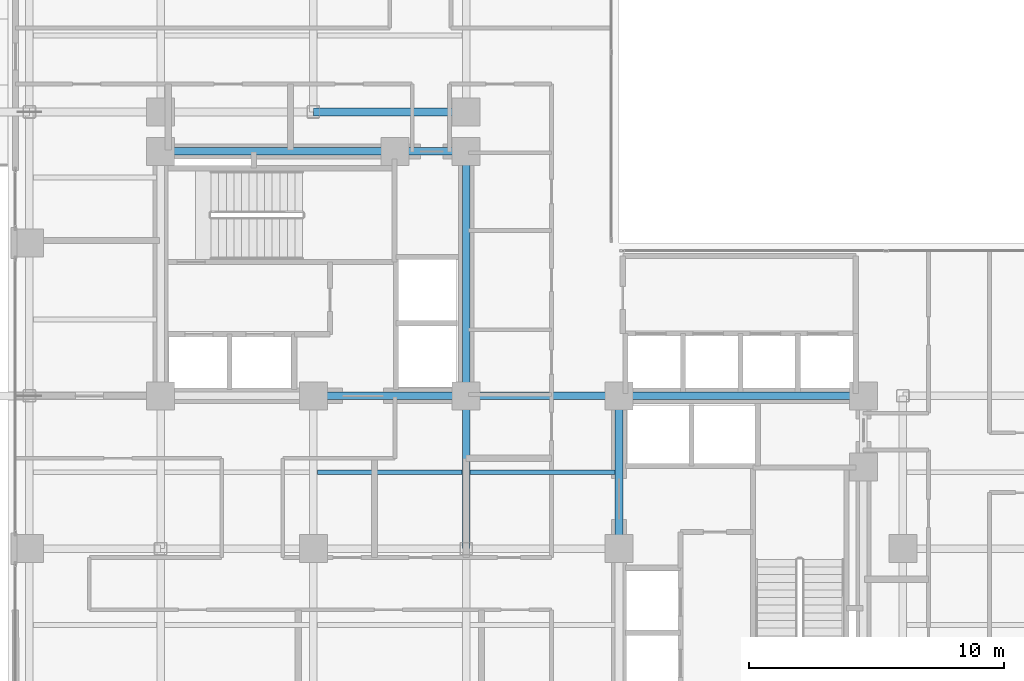
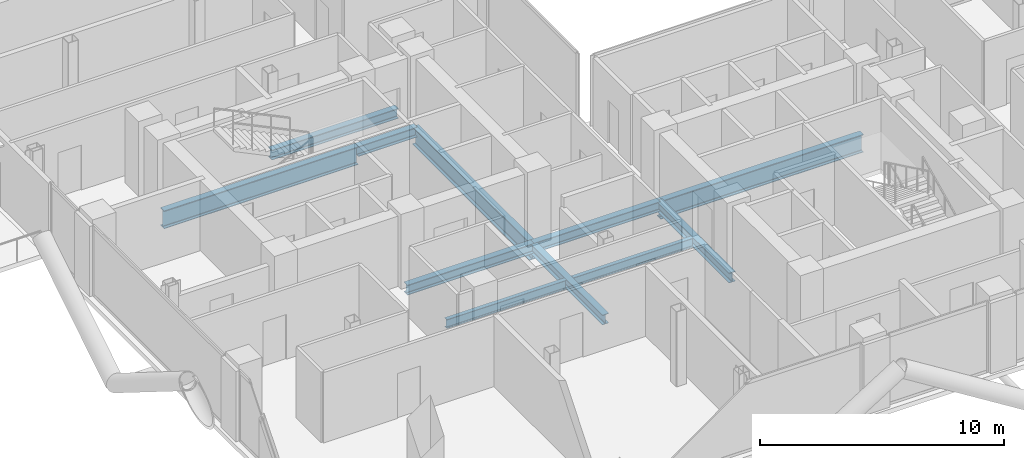
# One storey, part 8 of 28: 11 beams.
"""IFC4 building model written with IfcOpenShell, lengths in metres."""

from ifc_helpers import new_model, si_unit, direction, frame, origin, origin_2d, place, context, subcontext, project, spatial, i_section, extrude, material, material_profile, profile_set, type_object, element, save


model = new_model("IFC4")

# Units and contexts
model_context = context("Model", 3, precision=1e-05, world=origin(), true_north=direction((0.0, 1.0)))
body_context = subcontext(model_context, "Body", "Model", "MODEL_VIEW")
ifc_project = project(units=[si_unit("LENGTHUNIT", "METRE"), si_unit("AREAUNIT", "SQUARE_METRE"), si_unit("VOLUMEUNIT", "CUBIC_METRE"), si_unit("PLANEANGLEUNIT", "RADIAN"), si_unit("MASSUNIT", "GRAM", prefix="KILO"), si_unit("THERMODYNAMICTEMPERATUREUNIT", "KELVIN"), si_unit("POWERUNIT", "WATT")], contexts=[model_context])

# Site, building, storey
site_placement = place(None, origin())
site = spatial("IfcSite", under=ifc_project, at=site_placement, CompositionType="ELEMENT")
building_placement = place(site_placement, origin())
building = spatial("IfcBuilding", under=site, at=building_placement, Name="Svarakhadi Broadcast Tower", CompositionType="ELEMENT")
storey_placement = place(building_placement, frame((0.0, 0.0, 134.39990234375)))
storey = spatial("IfcBuildingStorey", under=building, at=storey_placement, Name="L32", CompositionType="ELEMENT", Elevation=134.39990234375)

# Beams
ifc_material_1 = material(Name="Steel S355J2 (IS 2062 E350C)", Category="steel")
ifc_material_profile_1 = material_profile(ifc_material_1, i_section(OverallWidth=0.18994140625, OverallDepth=0.449951171875, WebThickness=0.009521484375, FlangeThickness=0.0146484375, FilletRadius=0.02099609375, at=origin_2d()), Name="NPB 450x190x78")
ifc_profile_set_1 = profile_set([ifc_material_profile_1], Name="Steel S355J2 (IS 2062 E350C)")
beam_type_1 = type_object("IfcBeamType", Name="Beam_NPB450", PredefinedType="BEAM", material=ifc_profile_set_1)
for number, where, z_axis, x_axis, name in (
    (1, (12.159912109375, 15.0, -0.449951171875), (1.0, 0.0, 0.0), (0.0, 1.0, 0.0), "L32 Secondary Composite Beam SB013"),
    (2, (18.159912109375, 15.0, -0.449951171875), (1.0, 0.0, 0.0), (0.0, 1.0, 0.0), "L32 Secondary Composite Beam SB018"),
):
    element("IfcBeam", number, at=place(storey_placement, frame(where, z_axis=z_axis, x_axis=x_axis)), inside=storey, type_object=beam_type_1, Name=name, PredefinedType="BEAM", context=body_context, shape_type="SweptSolid", body=[
        extrude(i_section(OverallWidth=0.18994140625, OverallDepth=0.449951171875, WebThickness=0.009521484375, FlangeThickness=0.0146484375, FilletRadius=0.02099609375, at=origin_2d()), origin(), (0.0, 0.0, 1.0), 5.68017578125),
    ])
ifc_material_profile_2 = material_profile(ifc_material_1, i_section(OverallWidth=0.300048828125, OverallDepth=0.5, WebThickness=0.014404296875, FlangeThickness=0.028076171875, FilletRadius=0.027099609375, at=origin_2d()), Name="WPB 500x300x187")
ifc_profile_set_2 = profile_set([ifc_material_profile_2], Name="Steel S355J2 (IS 2062 E350C)")
beam_type_2 = type_object("IfcBeamType", Name="Girder_WPB500", PredefinedType="USERDEFINED", material=ifc_profile_set_2)
for number, where, z_axis, x_axis, name in (
    (3, (12.0, 18.0, -0.474853515625), (1.0, 0.0, 0.0), (0.0, 1.0, 0.0), "L32 Primary E-W Girder G025"),
    (4, (18.0, 18.0, -0.474853515625), (1.0, 0.0, 0.0), (0.0, 1.0, 0.0), "L32 Primary E-W Girder G026"),
):
    element("IfcBeam", number, at=place(storey_placement, frame(where, z_axis=z_axis, x_axis=x_axis)), inside=storey, type_object=beam_type_2, Name=name, ObjectType="GIRDER", PredefinedType="USERDEFINED", context=body_context, shape_type="SweptSolid", body=[
        extrude(i_section(OverallWidth=0.300048828125, OverallDepth=0.5, WebThickness=0.014404296875, FlangeThickness=0.028076171875, FilletRadius=0.027099609375, at=origin_2d()), origin(), (0.0, 0.0, 1.0), 6.0),
    ])
beam_1_placement = place(storey_placement, frame((15.199951171875, 27.60009765625, -0.474853515625), z_axis=(1.0, 0.0, 0.0), x_axis=(0.0, 1.0, 0.0)))
element("IfcBeam", 5, at=beam_1_placement, inside=storey, type_object=beam_type_2, Name="L32 Primary E-W Girder G031", ObjectType="GIRDER", PredefinedType="USERDEFINED", context=body_context, shape_type="SweptSolid", body=[
    extrude(i_section(OverallWidth=0.300048828125, OverallDepth=0.5, WebThickness=0.014404296875, FlangeThickness=0.028076171875, FilletRadius=0.027099609375, at=origin_2d()), origin(), (0.0, 0.0, 1.0), 2.800048828125),
])
for number, where, z_axis, x_axis, name in (
    (6, (12.0, 29.14990234375, -0.474853515625), (1.0, 0.0, 0.0), (0.0, 1.0, 0.0), "L32 Primary E-W Girder G034"),
    (7, (18.0, 12.0, -0.474853515625), (0.0, 1.0, 0.0), (-1.0, 0.0, 0.0), "L32 Primary N-S Girder G058"),
    (8, (24.0, 12.0, -0.474853515625), (0.0, 1.0, 0.0), (-1.0, 0.0, 0.0), "L32 Primary N-S Girder G064"),
):
    element("IfcBeam", number, at=place(storey_placement, frame(where, z_axis=z_axis, x_axis=x_axis)), inside=storey, type_object=beam_type_2, Name=name, ObjectType="GIRDER", PredefinedType="USERDEFINED", context=body_context, shape_type="SweptSolid", body=[
        extrude(i_section(OverallWidth=0.300048828125, OverallDepth=0.5, WebThickness=0.014404296875, FlangeThickness=0.028076171875, FilletRadius=0.027099609375, at=origin_2d()), origin(), (0.0, 0.0, 1.0), 6.0),
    ])
ifc_material_2 = material(Name="Steel S460ML (IS 2062 E450BR)", Category="steel")
ifc_material_profile_3 = material_profile(ifc_material_2, i_section(OverallWidth=0.300048828125, OverallDepth=0.89990234375, WebThickness=0.0185546875, FlangeThickness=0.034912109375, FilletRadius=0.030029296875, at=origin_2d()), Name="WPB 900x300x291")
ifc_profile_set_3 = profile_set([ifc_material_profile_3], Name="Steel S460ML (IS 2062 E450BR)")
beam_type_3 = type_object("IfcBeamType", Name="Girder_WPB900", PredefinedType="USERDEFINED", material=ifc_profile_set_3)
beam_2_placement = place(storey_placement, frame((24.0, 18.0, -0.6748046875), z_axis=(1.0, 0.0, 0.0), x_axis=(0.0, 1.0, 0.0)))
element("IfcBeam", 9, at=beam_2_placement, inside=storey, type_object=beam_type_3, Name="L32 Primary E-W Girder G027", ObjectType="GIRDER", PredefinedType="USERDEFINED", context=body_context, shape_type="SweptSolid", body=[
    extrude(i_section(OverallWidth=0.300048828125, OverallDepth=0.89990234375, WebThickness=0.0185546875, FlangeThickness=0.034912109375, FilletRadius=0.030029296875, at=origin_2d()), origin(), (0.0, 0.0, 1.0), 9.60009765625),
])
beam_3_placement = place(storey_placement, frame((6.0, 27.60009765625, -0.6748046875), z_axis=(1.0, 0.0, 0.0), x_axis=(0.0, 1.0, 0.0)))
element("IfcBeam", 10, at=beam_3_placement, inside=storey, type_object=beam_type_3, Name="L32 Primary E-W Girder G030", ObjectType="GIRDER", PredefinedType="USERDEFINED", context=body_context, shape_type="SweptSolid", body=[
    extrude(i_section(OverallWidth=0.300048828125, OverallDepth=0.89990234375, WebThickness=0.0185546875, FlangeThickness=0.034912109375, FilletRadius=0.030029296875, at=origin_2d()), origin(), (0.0, 0.0, 1.0), 9.199951171875),
])
beam_4_placement = place(storey_placement, frame((18.0, 18.0, -0.6748046875), z_axis=(0.0, 1.0, 0.0), x_axis=(-1.0, 0.0, 0.0)))
element("IfcBeam", 11, at=beam_4_placement, inside=storey, type_object=beam_type_3, Name="L32 Primary N-S Girder G059", ObjectType="GIRDER", PredefinedType="USERDEFINED", context=body_context, shape_type="SweptSolid", body=[
    extrude(i_section(OverallWidth=0.300048828125, OverallDepth=0.89990234375, WebThickness=0.0185546875, FlangeThickness=0.034912109375, FilletRadius=0.030029296875, at=origin_2d()), origin(), (0.0, 0.0, 1.0), 9.60009765625),
])

save(model, "model.ifc")
